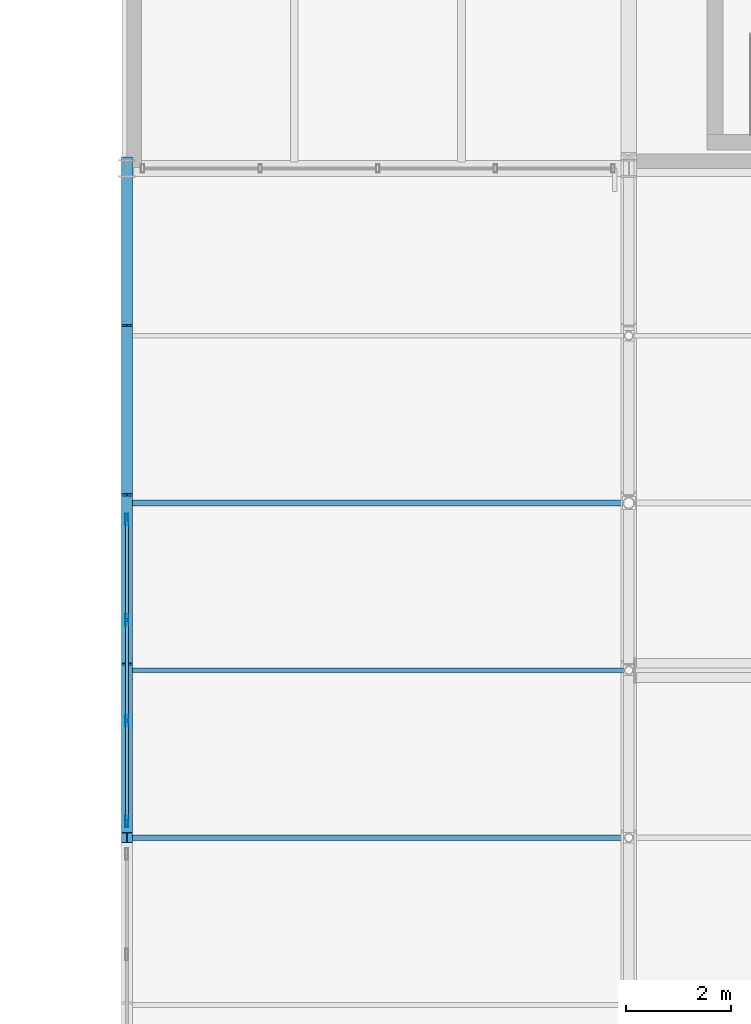
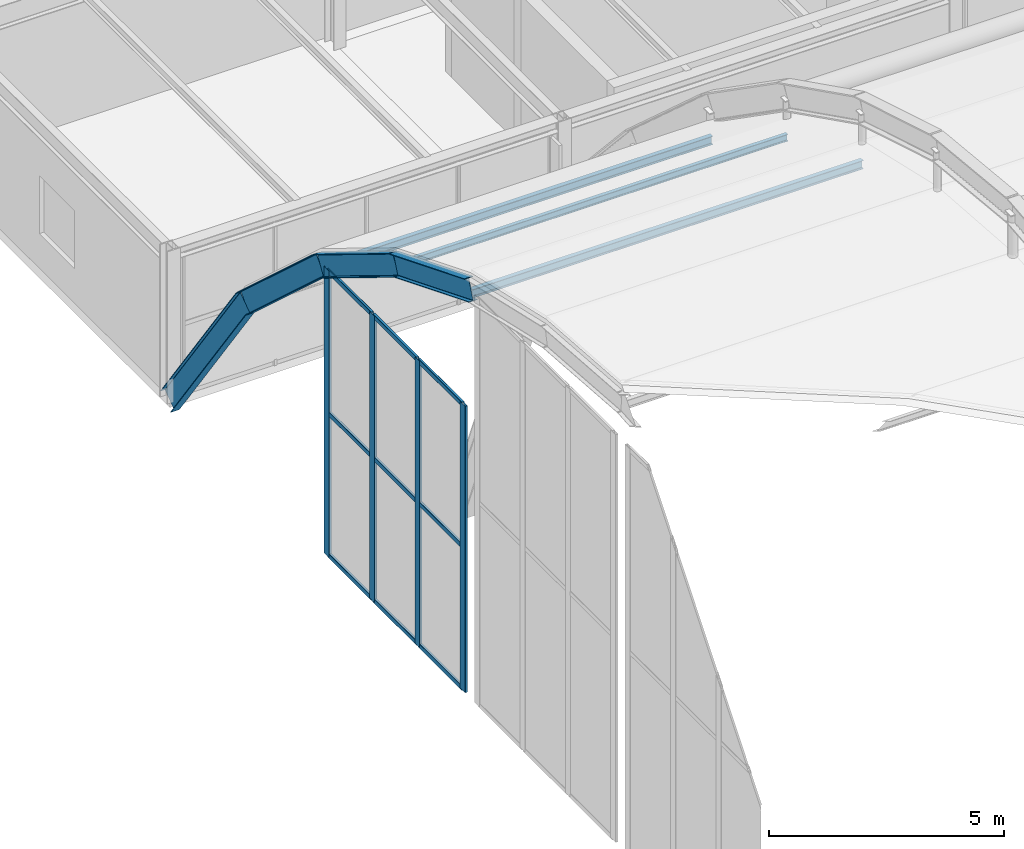
# One storey, part 66 of 126: 16 members, 4 beams, 1 element without a shape of its own.
"""IFC4 building model written with IfcOpenShell, lengths in metres."""

from ifc_helpers import new_model, si_unit, direction, frame, origin, origin_2d, place, context, subcontext, project, spatial, hollow_rectangle, i_section, extrude, material, material_profile, profile_set, type_object, element, aggregate, save


model = new_model("IFC4")

# Units and contexts
model_context = context("Model", 3, precision=1e-05, world=origin(), true_north=direction((0.0, 1.0)))
body_context = subcontext(model_context, "Body", "Model", "MODEL_VIEW")
ifc_project = project(units=[si_unit("LENGTHUNIT", "METRE"), si_unit("AREAUNIT", "SQUARE_METRE"), si_unit("VOLUMEUNIT", "CUBIC_METRE"), si_unit("PLANEANGLEUNIT", "RADIAN"), si_unit("MASSUNIT", "GRAM", prefix="KILO")], contexts=[model_context])

# Site, building, storey
site_placement = place(None, origin())
site = spatial("IfcSite", under=ifc_project, at=site_placement, CompositionType="ELEMENT")
building_placement = place(site_placement, origin())
building = spatial("IfcBuilding", under=site, at=building_placement, Name="Coralgate Yard Interchange", CompositionType="ELEMENT")
storey_placement = place(building_placement, frame((0.0, 0.0, 10.5)))
storey = spatial("IfcBuildingStorey", under=building, at=storey_placement, Name="L02", CompositionType="ELEMENT", Elevation=10.5)

# Beams
ifc_material_1 = material(Name="Weather-coated structural steel S355J2", Category="steel")
ifc_material_profile_1 = material_profile(ifc_material_1, i_section(OverallWidth=0.209228515625, OverallDepth=0.533203125, WebThickness=0.010009765625, FlangeThickness=0.015625, FilletRadius=0.0126953125, at=origin_2d()), Name="UB 533x210x92")
ifc_profile_set_1 = profile_set([ifc_material_profile_1], Name="Weather-coated structural steel S355J2")
beam_type = type_object("IfcBeamType", Name="BM-VR-1", PredefinedType="BEAM", material=ifc_profile_set_1)
beam_1_placement = place(storey_placement, frame((38.39990234375, 64.0, 10.58349609375), z_axis=(0.0, 0.927713244188, -0.373293633161), x_axis=(-1.0, 0.0, 0.0)))
element("IfcBeam", 1, at=beam_1_placement, inside=storey, type_object=beam_type, Name="Barrel-vault gridshell rib 1 seg 9", PredefinedType="BEAM", context=body_context, shape_type="SweptSolid", body=[
    extrude(i_section(OverallWidth=0.209228515625, OverallDepth=0.533203125, WebThickness=0.010009765625, FlangeThickness=0.015625, FilletRadius=0.0126953125, at=origin_2d()), origin(), (0.0, 0.0, 1.0), 3.44921875),
])
beam_2_placement = place(storey_placement, frame((38.39990234375, 67.199951171875, 9.2958984375), z_axis=(0.0, 0.852378727212, -0.522924951973), x_axis=(-1.0, 0.0, 0.0)))
element("IfcBeam", 2, at=beam_2_placement, inside=storey, type_object=beam_type, Name="Barrel-vault gridshell rib 1 seg 10", PredefinedType="BEAM", context=body_context, shape_type="SweptSolid", body=[
    extrude(i_section(OverallWidth=0.209228515625, OverallDepth=0.533203125, WebThickness=0.010009765625, FlangeThickness=0.015625, FilletRadius=0.0126953125, at=origin_2d()), origin(), (0.0, 0.0, 1.0), 3.754150390625),
])
beam_3_placement = place(storey_placement, frame((38.39990234375, 70.39990234375, 7.332763671875), z_axis=(0.0, 0.739500841068, -0.673155632867), x_axis=(-1.0, 0.0, 0.0)))
element("IfcBeam", 3, at=beam_3_placement, inside=storey, type_object=beam_type, Name="Barrel-vault gridshell rib 1 seg 11", PredefinedType="BEAM", context=body_context, shape_type="SweptSolid", body=[
    extrude(i_section(OverallWidth=0.209228515625, OverallDepth=0.533203125, WebThickness=0.010009765625, FlangeThickness=0.015625, FilletRadius=0.0126953125, at=origin_2d()), origin(), (0.0, 0.0, 1.0), 4.327392578125),
])
beam_4_placement = place(storey_placement, frame((38.39990234375, 73.60009765625, 4.419677734375), z_axis=(0.0, 0.581821714705, -0.813316354377), x_axis=(-1.0, 0.0, 0.0)))
element("IfcBeam", 4, at=beam_4_placement, inside=storey, type_object=beam_type, Name="Barrel-vault gridshell rib 1 seg 12", PredefinedType="BEAM", context=body_context, shape_type="SweptSolid", body=[
    extrude(i_section(OverallWidth=0.209228515625, OverallDepth=0.533203125, WebThickness=0.010009765625, FlangeThickness=0.015625, FilletRadius=0.0126953125, at=origin_2d()), origin(), (0.0, 0.0, 1.0), 5.5),
])

# Curtain wall, members
ifc_material_2 = material(Name="Anodised coastal aluminium and solar-control low-E glass", Category="aluminium")
curtain_wall_type = type_object("IfcCurtainWallType", Name="CW-CW-VLT-2", PredefinedType="NOTDEFINED", material=ifc_material_2)
curtain_wall_placement = place(storey_placement, origin())
curtain_wall = element("IfcCurtainWall", 5, at=curtain_wall_placement, inside=storey, type_object=curtain_wall_type, Name="L02 unitised curtain wall CW-VAULT-W-5", PredefinedType="NOTDEFINED")
ifc_material_3 = material(Name="Anodised coastal aluminium 6063-T6", Category="aluminium")
ifc_material_profile_2 = material_profile(ifc_material_3, hollow_rectangle(XDim=0.06005859375, YDim=0.219970703125, WallThickness=0.00390625, InnerFilletRadius=0.00390625, OuterFilletRadius=0.008056640625, at=origin_2d()), Name="ALU 60x220x4")
ifc_profile_set_2 = profile_set([ifc_material_profile_2], Name="Anodised coastal aluminium 6063-T6")
member_type_1 = type_object("IfcMemberType", Name="MB-MUL-220", PredefinedType="MULLION", material=ifc_profile_set_2)
member_1_placement = place(storey_placement, frame((38.39990234375, 64.31005859375, 0.0), z_axis=(0.0, 0.0, 1.0), x_axis=(1.0, 0.0, 0.0)))
member_1 = element("IfcMember", 6, at=member_1_placement, type_object=member_type_1, Name="CW-VAULT-W-5 vertical mullion 1", PredefinedType="MULLION", context=body_context, shape_type="SweptSolid", body=[
    extrude(hollow_rectangle(XDim=0.06005859375, YDim=0.219970703125, WallThickness=0.00390625, InnerFilletRadius=0.00390625, OuterFilletRadius=0.008056640625, at=origin_2d()), origin(), (0.0, 0.0, 1.0), 7.431884765625),
])
member_2_placement = place(storey_placement, frame((38.39990234375, 66.236572265625, 0.0), z_axis=(0.0, 0.0, 1.0), x_axis=(1.0, 0.0, 0.0)))
member_2 = element("IfcMember", 7, at=member_2_placement, type_object=member_type_1, Name="CW-VAULT-W-5 vertical mullion 2", PredefinedType="MULLION", context=body_context, shape_type="SweptSolid", body=[
    extrude(hollow_rectangle(XDim=0.06005859375, YDim=0.219970703125, WallThickness=0.00390625, InnerFilletRadius=0.00390625, OuterFilletRadius=0.008056640625, at=origin_2d()), origin(), (0.0, 0.0, 1.0), 7.431884765625),
])
member_3_placement = place(storey_placement, frame((38.39990234375, 68.163330078125, 0.0), z_axis=(0.0, 0.0, 1.0), x_axis=(1.0, 0.0, 0.0)))
member_3 = element("IfcMember", 8, at=member_3_placement, type_object=member_type_1, Name="CW-VAULT-W-5 vertical mullion 3", PredefinedType="MULLION", context=body_context, shape_type="SweptSolid", body=[
    extrude(hollow_rectangle(XDim=0.06005859375, YDim=0.219970703125, WallThickness=0.00390625, InnerFilletRadius=0.00390625, OuterFilletRadius=0.008056640625, at=origin_2d()), origin(), (0.0, 0.0, 1.0), 7.431884765625),
])
member_4_placement = place(storey_placement, frame((38.39990234375, 70.090087890625, 0.0), z_axis=(0.0, 0.0, 1.0), x_axis=(1.0, 0.0, 0.0)))
member_4 = element("IfcMember", 9, at=member_4_placement, type_object=member_type_1, Name="CW-VAULT-W-5 vertical mullion 4", PredefinedType="MULLION", context=body_context, shape_type="SweptSolid", body=[
    extrude(hollow_rectangle(XDim=0.06005859375, YDim=0.219970703125, WallThickness=0.00390625, InnerFilletRadius=0.00390625, OuterFilletRadius=0.008056640625, at=origin_2d()), origin(), (0.0, 0.0, 1.0), 7.431884765625),
])

# Members
ifc_material_profile_3 = material_profile(ifc_material_1, i_section(OverallWidth=0.110107421875, OverallDepth=0.219970703125, WebThickness=0.005859375, FlangeThickness=0.00927734375, FilletRadius=0.011962890625, at=origin_2d()), Name="IPE 220")
ifc_profile_set_3 = profile_set([ifc_material_profile_3], Name="Weather-coated structural steel S355J2")
member_type_2 = type_object("IfcMemberType", Name="MB-PR-1", PredefinedType="PURLIN", material=ifc_profile_set_3)
for number, where, z_axis, x_axis, name in (
    (10, (38.402099609375, 64.0, 10.489990234375), (1.0, 0.0, 0.0), (0.0, 1.0, 0.0), "Barrel-vault gridshell purlin 1-9"),
    (11, (38.402099609375, 70.39990234375, 7.2392578125), (1.0, 0.0, 0.0), (0.0, 1.0, 0.0), "Barrel-vault gridshell purlin 1-11"),
):
    element("IfcMember", number, at=place(storey_placement, frame(where, z_axis=z_axis, x_axis=x_axis)), inside=storey, type_object=member_type_2, Name=name, PredefinedType="PURLIN", context=body_context, shape_type="SweptSolid", body=[
        extrude(i_section(OverallWidth=0.110107421875, OverallDepth=0.219970703125, WebThickness=0.005859375, FlangeThickness=0.00927734375, FilletRadius=0.011962890625, at=origin_2d()), origin(), (0.0, 0.0, 1.0), 9.595947265625),
    ])
ifc_material_4 = material(Name="Off-white architectural structural steel S355J2", Category="steel")
ifc_material_profile_4 = material_profile(ifc_material_4, i_section(OverallWidth=0.091064453125, OverallDepth=0.179931640625, WebThickness=0.00537109375, FlangeThickness=0.008056640625, FilletRadius=0.009033203125, at=origin_2d()), Name="IPE 180")
ifc_profile_set_4 = profile_set([ifc_material_profile_4], Name="Off-white architectural structural steel S355J2")
member_type_3 = type_object("IfcMemberType", Name="MB-PR-2", PredefinedType="PURLIN", material=ifc_profile_set_4)
member_5_placement = place(storey_placement, frame((38.402099609375, 67.199951171875, 9.242431640625), z_axis=(1.0, 0.0, 0.0), x_axis=(0.0, 1.0, 0.0)))
element("IfcMember", 12, at=member_5_placement, inside=storey, type_object=member_type_3, Name="Barrel-vault gridshell purlin 1-10", PredefinedType="PURLIN", context=body_context, shape_type="SweptSolid", body=[
    extrude(i_section(OverallWidth=0.091064453125, OverallDepth=0.179931640625, WebThickness=0.00537109375, FlangeThickness=0.008056640625, FilletRadius=0.009033203125, at=origin_2d()), origin(), (0.0, 0.0, 1.0), 9.595947265625),
])

# Member
ifc_material_profile_5 = material_profile(ifc_material_3, hollow_rectangle(XDim=0.06005859375, YDim=0.1201171875, WallThickness=0.00341796875, InnerFilletRadius=0.00341796875, OuterFilletRadius=0.007080078125, at=origin_2d()), Name="ALU 60x120x3.5")
ifc_profile_set_5 = profile_set([ifc_material_profile_5], Name="Anodised coastal aluminium 6063-T6")
member_type_4 = type_object("IfcMemberType", Name="MB-TRN-120", PredefinedType="USERDEFINED", material=ifc_profile_set_5)
member_6_placement = place(storey_placement, frame((38.39990234375, 64.340087890625, 0.034912109375), z_axis=(0.0, 1.0, 0.0), x_axis=(-1.0, 0.0, 0.0)))
member_6 = element("IfcMember", 13, at=member_6_placement, type_object=member_type_4, Name="CW-VAULT-W-5 horizontal transom 1-1", ObjectType="TRANSOM", PredefinedType="USERDEFINED", context=body_context, shape_type="SweptSolid", body=[
    extrude(hollow_rectangle(XDim=0.06005859375, YDim=0.1201171875, WallThickness=0.00341796875, InnerFilletRadius=0.00341796875, OuterFilletRadius=0.007080078125, at=origin_2d()), origin(), (0.0, 0.0, 1.0), 1.86669921875),
])

member_7_placement = place(storey_placement, frame((38.39990234375, 64.340087890625, 3.716064453125), z_axis=(0.0, 1.0, 0.0), x_axis=(-1.0, 0.0, 0.0)))
member_7 = element("IfcMember", 14, at=member_7_placement, type_object=member_type_4, Name="CW-VAULT-W-5 horizontal transom 1-2", ObjectType="TRANSOM", PredefinedType="USERDEFINED", context=body_context, shape_type="SweptSolid", body=[
    extrude(hollow_rectangle(XDim=0.06005859375, YDim=0.1201171875, WallThickness=0.00341796875, InnerFilletRadius=0.00341796875, OuterFilletRadius=0.007080078125, at=origin_2d()), origin(), (0.0, 0.0, 1.0), 1.86669921875),
])

member_8_placement = place(storey_placement, frame((38.39990234375, 64.340087890625, 7.39697265625), z_axis=(0.0, 1.0, 0.0), x_axis=(-1.0, 0.0, 0.0)))
member_8 = element("IfcMember", 15, at=member_8_placement, type_object=member_type_4, Name="CW-VAULT-W-5 horizontal transom 1-3", ObjectType="TRANSOM", PredefinedType="USERDEFINED", context=body_context, shape_type="SweptSolid", body=[
    extrude(hollow_rectangle(XDim=0.06005859375, YDim=0.1201171875, WallThickness=0.00341796875, InnerFilletRadius=0.00341796875, OuterFilletRadius=0.007080078125, at=origin_2d()), origin(), (0.0, 0.0, 1.0), 1.86669921875),
])

member_9_placement = place(storey_placement, frame((38.39990234375, 66.2666015625, 0.034912109375), z_axis=(0.0, 1.0, 0.0), x_axis=(-1.0, 0.0, 0.0)))
member_9 = element("IfcMember", 16, at=member_9_placement, type_object=member_type_4, Name="CW-VAULT-W-5 horizontal transom 2-1", ObjectType="TRANSOM", PredefinedType="USERDEFINED", context=body_context, shape_type="SweptSolid", body=[
    extrude(hollow_rectangle(XDim=0.06005859375, YDim=0.1201171875, WallThickness=0.00341796875, InnerFilletRadius=0.00341796875, OuterFilletRadius=0.007080078125, at=origin_2d()), origin(), (0.0, 0.0, 1.0), 1.86669921875),
])

member_10_placement = place(storey_placement, frame((38.39990234375, 66.2666015625, 3.716064453125), z_axis=(0.0, 1.0, 0.0), x_axis=(-1.0, 0.0, 0.0)))
member_10 = element("IfcMember", 17, at=member_10_placement, type_object=member_type_4, Name="CW-VAULT-W-5 horizontal transom 2-2", ObjectType="TRANSOM", PredefinedType="USERDEFINED", context=body_context, shape_type="SweptSolid", body=[
    extrude(hollow_rectangle(XDim=0.06005859375, YDim=0.1201171875, WallThickness=0.00341796875, InnerFilletRadius=0.00341796875, OuterFilletRadius=0.007080078125, at=origin_2d()), origin(), (0.0, 0.0, 1.0), 1.86669921875),
])

member_11_placement = place(storey_placement, frame((38.39990234375, 66.2666015625, 7.39697265625), z_axis=(0.0, 1.0, 0.0), x_axis=(-1.0, 0.0, 0.0)))
member_11 = element("IfcMember", 18, at=member_11_placement, type_object=member_type_4, Name="CW-VAULT-W-5 horizontal transom 2-3", ObjectType="TRANSOM", PredefinedType="USERDEFINED", context=body_context, shape_type="SweptSolid", body=[
    extrude(hollow_rectangle(XDim=0.06005859375, YDim=0.1201171875, WallThickness=0.00341796875, InnerFilletRadius=0.00341796875, OuterFilletRadius=0.007080078125, at=origin_2d()), origin(), (0.0, 0.0, 1.0), 1.86669921875),
])

member_12_placement = place(storey_placement, frame((38.39990234375, 68.193359375, 0.034912109375), z_axis=(0.0, 1.0, 0.0), x_axis=(-1.0, 0.0, 0.0)))
member_12 = element("IfcMember", 19, at=member_12_placement, type_object=member_type_4, Name="CW-VAULT-W-5 horizontal transom 3-1", ObjectType="TRANSOM", PredefinedType="USERDEFINED", context=body_context, shape_type="SweptSolid", body=[
    extrude(hollow_rectangle(XDim=0.06005859375, YDim=0.1201171875, WallThickness=0.00341796875, InnerFilletRadius=0.00341796875, OuterFilletRadius=0.007080078125, at=origin_2d()), origin(), (0.0, 0.0, 1.0), 1.86669921875),
])

member_13_placement = place(storey_placement, frame((38.39990234375, 68.193359375, 3.716064453125), z_axis=(0.0, 1.0, 0.0), x_axis=(-1.0, 0.0, 0.0)))
member_13 = element("IfcMember", 20, at=member_13_placement, type_object=member_type_4, Name="CW-VAULT-W-5 horizontal transom 3-2", ObjectType="TRANSOM", PredefinedType="USERDEFINED", context=body_context, shape_type="SweptSolid", body=[
    extrude(hollow_rectangle(XDim=0.06005859375, YDim=0.1201171875, WallThickness=0.00341796875, InnerFilletRadius=0.00341796875, OuterFilletRadius=0.007080078125, at=origin_2d()), origin(), (0.0, 0.0, 1.0), 1.86669921875),
])

member_14_placement = place(storey_placement, frame((38.39990234375, 68.193359375, 7.39697265625), z_axis=(0.0, 1.0, 0.0), x_axis=(-1.0, 0.0, 0.0)))
member_14 = element("IfcMember", 21, at=member_14_placement, type_object=member_type_4, Name="CW-VAULT-W-5 horizontal transom 3-3", ObjectType="TRANSOM", PredefinedType="USERDEFINED", context=body_context, shape_type="SweptSolid", body=[
    extrude(hollow_rectangle(XDim=0.06005859375, YDim=0.1201171875, WallThickness=0.00341796875, InnerFilletRadius=0.00341796875, OuterFilletRadius=0.007080078125, at=origin_2d()), origin(), (0.0, 0.0, 1.0), 1.86669921875),
])

aggregate(curtain_wall, [member_1, member_2, member_3, member_4, member_6, member_7, member_8, member_9, member_10, member_11, member_12, member_13, member_14])

save(model, "model.ifc")
